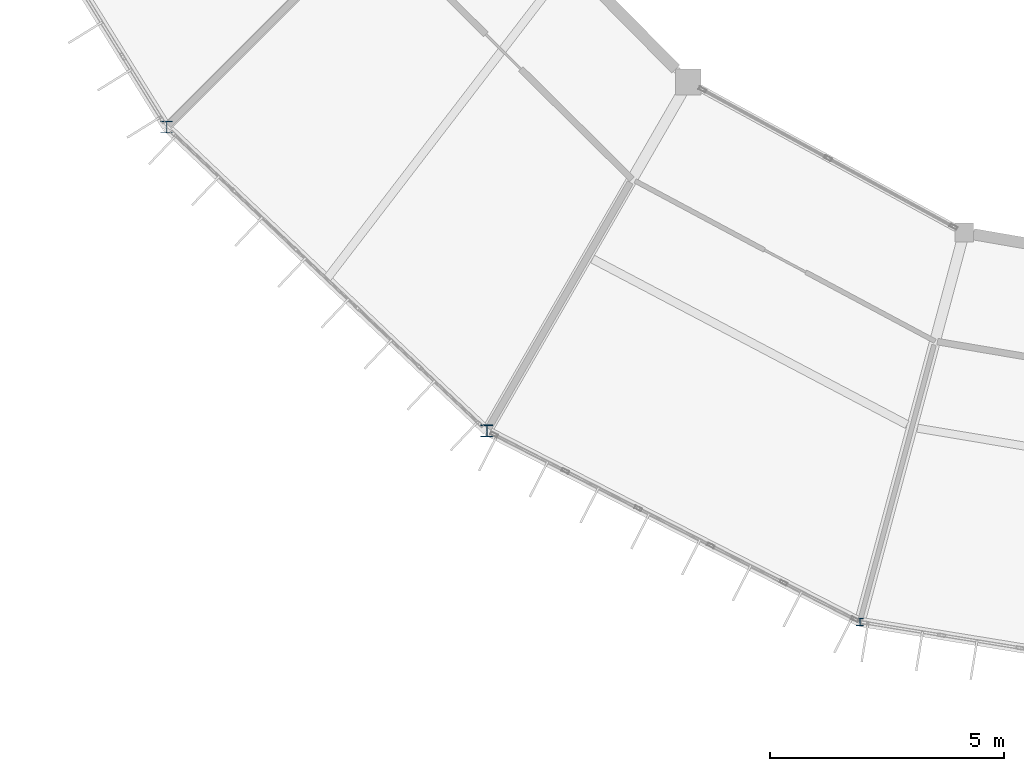
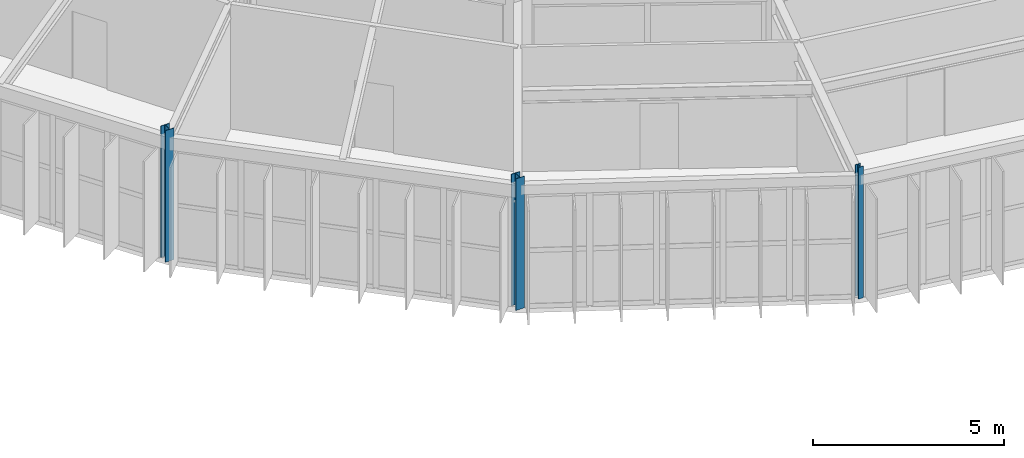
# One storey, part 1 of 134: 3 columns.
"""IFC4 building model written with IfcOpenShell, lengths in metres."""

from ifc_helpers import new_model, si_unit, direction, frame, origin, origin_2d, place, context, subcontext, project, spatial, i_section, extrude, material, material_profile, profile_set, type_object, element, save


model = new_model("IFC4")

# Units and contexts
model_context = context("Model", 3, precision=1e-05, world=origin(), true_north=direction((0.0, 1.0)))
body_context = subcontext(model_context, "Body", "Model", "MODEL_VIEW")
ifc_project = project(units=[si_unit("LENGTHUNIT", "METRE"), si_unit("AREAUNIT", "SQUARE_METRE"), si_unit("VOLUMEUNIT", "CUBIC_METRE"), si_unit("PLANEANGLEUNIT", "RADIAN"), si_unit("MASSUNIT", "GRAM", prefix="KILO")], contexts=[model_context])

# Site, building, storey
site_placement = place(None, origin())
site = spatial("IfcSite", under=ifc_project, at=site_placement, CompositionType="ELEMENT")
building_placement = place(site_placement, origin())
building = spatial("IfcBuilding", under=site, at=building_placement, Name="Karori Crest Natural Sciences Institute", CompositionType="ELEMENT")
storey_placement = place(building_placement, frame((0.0, 0.0, 21.699951171875)))
storey = spatial("IfcBuildingStorey", under=building, at=storey_placement, Name="L05", CompositionType="ELEMENT", Elevation=21.699951171875)

# Columns
ifc_material = material(Name="Structural steel AS/NZS 3679.1 Grade 350", Category="steel")
ifc_material_profile_1 = material_profile(ifc_material, i_section(OverallWidth=0.256103515625, OverallDepth=0.260009765625, WebThickness=0.010498046875, FlangeThickness=0.017333984375, FilletRadius=0.013916015625, at=origin_2d()), Name="250UC89.5")
ifc_profile_set_1 = profile_set([ifc_material_profile_1], Name="Structural steel AS/NZS 3679.1 Grade 350")
column_type_1 = type_object("IfcColumnType", Name="CT-06", PredefinedType="COLUMN", material=ifc_profile_set_1)
column_1_placement = place(storey_placement, frame((43.0654296875, 21.050048828125, 0.0), z_axis=(0.0, 0.0, 1.0), x_axis=(1.0, 0.0, 0.0)))
element("IfcColumn", 1, at=column_1_placement, inside=storey, type_object=column_type_1, Name="Column C-0263", PredefinedType="COLUMN", context=body_context, shape_type="SweptSolid", body=[
    extrude(i_section(OverallWidth=0.256103515625, OverallDepth=0.260009765625, WebThickness=0.010498046875, FlangeThickness=0.017333984375, FilletRadius=0.013916015625, at=origin_2d()), origin(), (0.0, 0.0, 1.0), 4.199951171875),
])
ifc_material_profile_2 = material_profile(ifc_material, i_section(OverallWidth=0.25390625, OverallDepth=0.25390625, WebThickness=0.008544921875, FlangeThickness=0.01416015625, FilletRadius=0.013916015625, at=origin_2d()), Name="250UC72.9")
ifc_profile_set_2 = profile_set([ifc_material_profile_2], Name="Structural steel AS/NZS 3679.1 Grade 350")
column_type_2 = type_object("IfcColumnType", Name="CT-07", PredefinedType="COLUMN", material=ifc_profile_set_2)
column_2_placement = place(storey_placement, frame((49.89990234375, 14.566162109375, 0.0), z_axis=(0.0, 0.0, 1.0), x_axis=(1.0, 0.0, 0.0)))
element("IfcColumn", 2, at=column_2_placement, inside=storey, type_object=column_type_2, Name="Column C-0277", PredefinedType="COLUMN", context=body_context, shape_type="SweptSolid", body=[
    extrude(i_section(OverallWidth=0.25390625, OverallDepth=0.25390625, WebThickness=0.008544921875, FlangeThickness=0.01416015625, FilletRadius=0.013916015625, at=origin_2d()), origin(), (0.0, 0.0, 1.0), 4.199951171875),
])
ifc_material_profile_3 = material_profile(ifc_material, i_section(OverallWidth=0.154052734375, OverallDepth=0.162109375, WebThickness=0.008056640625, FlangeThickness=0.011474609375, FilletRadius=0.009033203125, at=origin_2d()), Name="150UC37.2")
ifc_profile_set_3 = profile_set([ifc_material_profile_3], Name="Structural steel AS/NZS 3679.1 Grade 350")
column_type_3 = type_object("IfcColumnType", Name="CT-26", PredefinedType="COLUMN", material=ifc_profile_set_3)
column_3_placement = place(storey_placement, frame((57.85888671875, 10.490234375, 0.0), z_axis=(0.0, 0.0, 1.0), x_axis=(1.0, 0.0, 0.0)))
element("IfcColumn", 3, at=column_3_placement, inside=storey, type_object=column_type_3, Name="Column C-0293", PredefinedType="COLUMN", context=body_context, shape_type="SweptSolid", body=[
    extrude(i_section(OverallWidth=0.154052734375, OverallDepth=0.162109375, WebThickness=0.008056640625, FlangeThickness=0.011474609375, FilletRadius=0.009033203125, at=origin_2d()), origin(), (0.0, 0.0, 1.0), 4.199951171875),
])

save(model, "model.ifc")
